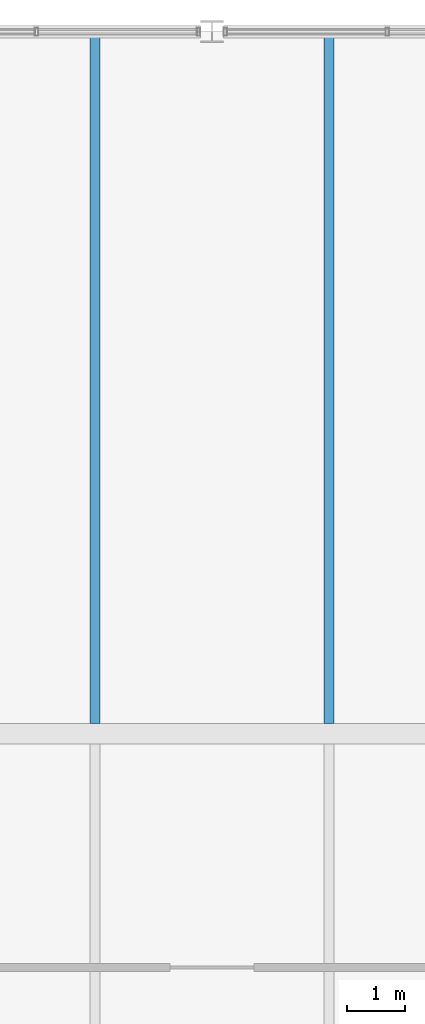
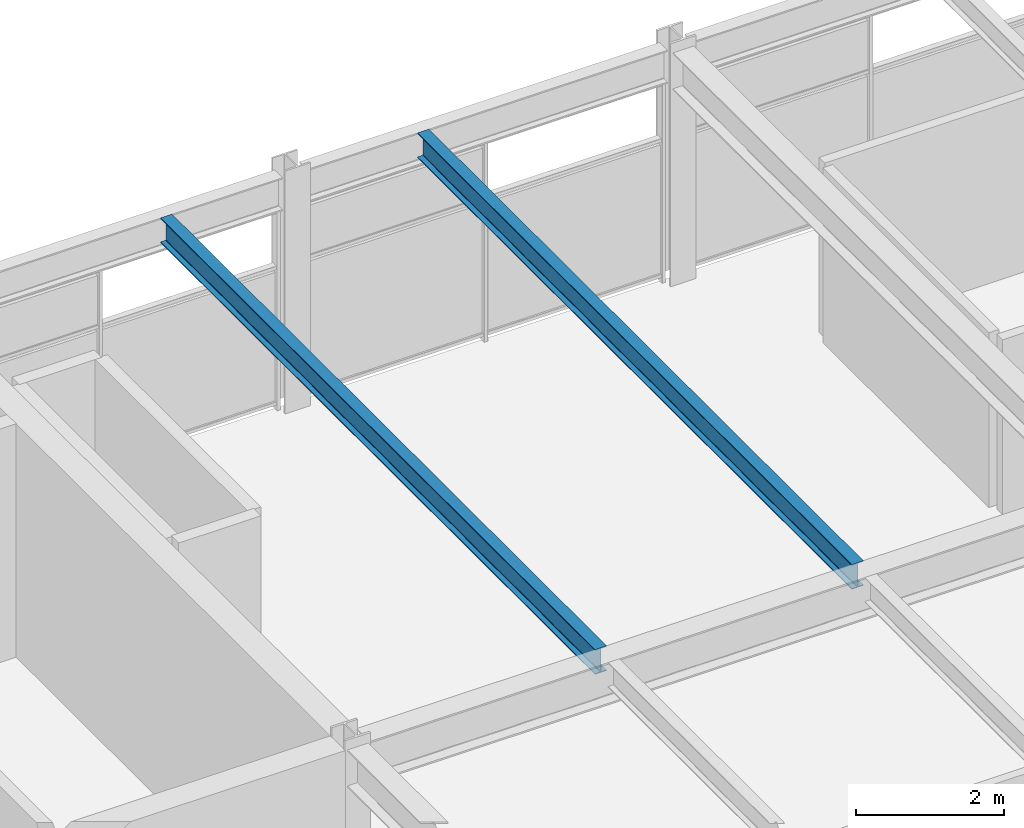
# One storey, part 22 of 52: 2 beams.
"""IFC4 building model written with IfcOpenShell, lengths in metres."""

from ifc_helpers import new_model, si_unit, direction, frame, origin, origin_2d, place, context, subcontext, project, spatial, i_section, extrude, material, material_profile, profile_set, type_object, element, save


model = new_model("IFC4")

# Units and contexts
model_context = context("Model", 3, precision=1e-05, world=origin(), true_north=direction((0.0, 1.0)))
body_context = subcontext(model_context, "Body", "Model", "MODEL_VIEW")
ifc_project = project(units=[si_unit("LENGTHUNIT", "METRE"), si_unit("AREAUNIT", "SQUARE_METRE"), si_unit("VOLUMEUNIT", "CUBIC_METRE"), si_unit("PLANEANGLEUNIT", "RADIAN"), si_unit("MASSUNIT", "GRAM", prefix="KILO")], contexts=[model_context])

# Site, building, storey
site_placement = place(None, origin())
site = spatial("IfcSite", under=ifc_project, at=site_placement, CompositionType="ELEMENT")
building_placement = place(site_placement, origin())
building = spatial("IfcBuilding", under=site, at=building_placement, Name="Girod Span Mobility Hub", CompositionType="ELEMENT")
storey_placement = place(building_placement, frame((0.0, 0.0, 45.60009765625)))
storey = spatial("IfcBuildingStorey", under=building, at=storey_placement, Name="L11", CompositionType="ELEMENT", Elevation=45.60009765625)

# Beams
ifc_material = material(Name="Steel A992 Grade 50", Category="steel")
ifc_material_profile = material_profile(ifc_material, i_section(OverallWidth=0.178955078125, OverallDepth=0.409912109375, WebThickness=0.0087890625, FlangeThickness=0.014404296875, FilletRadius=0.012939453125, at=origin_2d()), Name="W16X45")
ifc_profile_set = profile_set([ifc_material_profile], Name="Steel A992 Grade 50")
beam_type = type_object("IfcBeamType", Name="BM-STL-W16X45", PredefinedType="BEAM", material=ifc_profile_set)
for number, where, z_axis, x_axis, name in (
    (1, (64.0, 57.174560546875, 3.635009765625), (0.0, 1.0, 0.0), (-1.0, 0.0, 0.0), "Composite Floorbeam 6/E-1 L11"),
    (2, (68.0, 57.174560546875, 3.635009765625), (0.0, 1.0, 0.0), (-1.0, 0.0, 0.0), "Composite Floorbeam 6/E-2 L11"),
):
    element("IfcBeam", number, at=place(storey_placement, frame(where, z_axis=z_axis, x_axis=x_axis)), inside=storey, type_object=beam_type, Name=name, PredefinedType="BEAM", context=body_context, shape_type="SweptSolid", body=[
        extrude(i_section(OverallWidth=0.178955078125, OverallDepth=0.409912109375, WebThickness=0.0087890625, FlangeThickness=0.014404296875, FilletRadius=0.012939453125, at=origin_2d()), origin(), (0.0, 0.0, 1.0), 11.722412109375),
    ])

save(model, "model.ifc")
